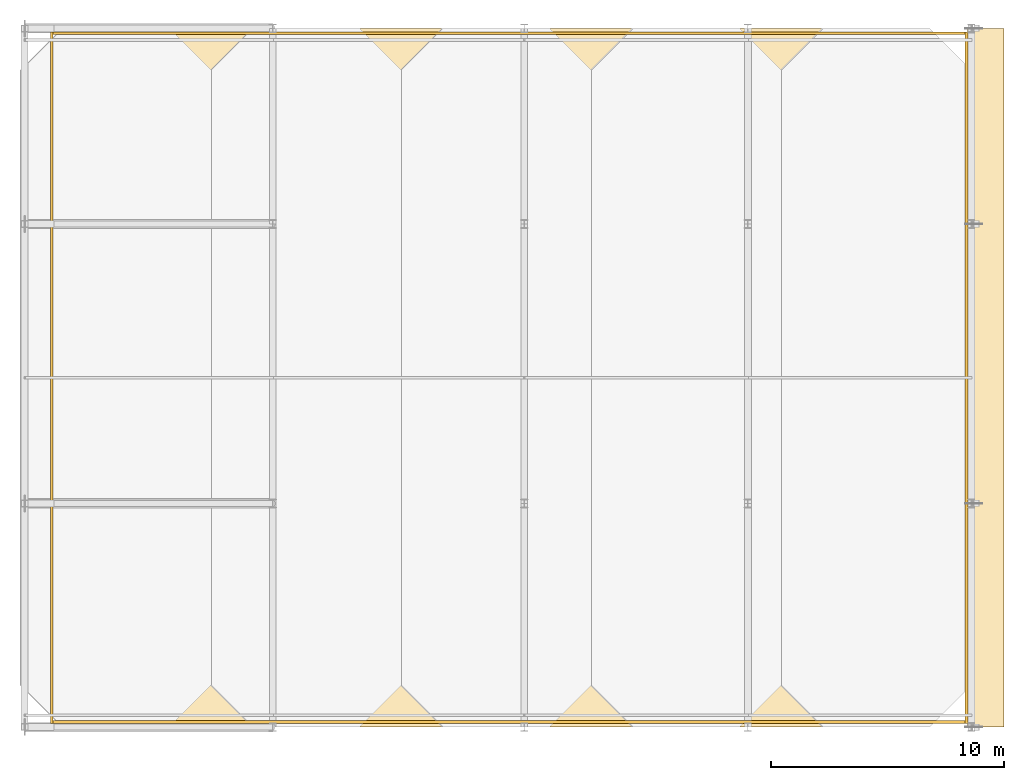
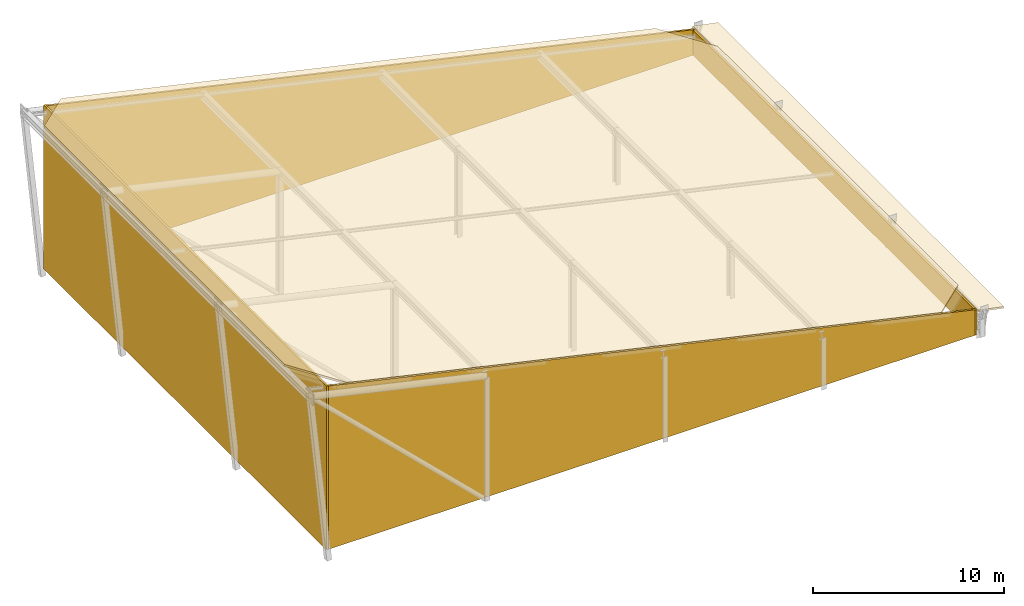
# One storey, part 4 of 4: 6 coverings.
"""IFC4 building model written with IfcOpenShell, lengths in metres."""

from ifc_helpers import new_model, si_unit, direction, frame, origin, place, context, subcontext, project, spatial, polyline, outline, extrude, material, layer, layer_set, type_object, element, save


model = new_model("IFC4")

# Units and contexts
model_context = context("Model", 3, precision=1e-05, world=origin(), true_north=direction((0.0, 1.0)))
body_context = subcontext(model_context, "Body", "Model", "MODEL_VIEW")
ifc_project = project(units=[si_unit("LENGTHUNIT", "METRE"), si_unit("AREAUNIT", "SQUARE_METRE"), si_unit("VOLUMEUNIT", "CUBIC_METRE"), si_unit("PLANEANGLEUNIT", "RADIAN"), si_unit("MASSUNIT", "GRAM", prefix="KILO")], contexts=[model_context])

# Site, building, storey
site_placement = place(None, origin())
site = spatial("IfcSite", under=ifc_project, at=site_placement, CompositionType="ELEMENT")
building_placement = place(site_placement, origin())
building = spatial("IfcBuilding", under=site, at=building_placement, Name="Zereglee Splitstone Museum", CompositionType="ELEMENT")
storey_placement = place(building_placement, frame((0.0, 0.0, 29.699951171875)))
storey = spatial("IfcBuildingStorey", under=building, at=storey_placement, Name="RF", CompositionType="ELEMENT", Elevation=29.699951171875)

# Coverings
ifc_material_1 = material(Name="Honed Khoroo red sandstone ventilated rainscreen", Category="masonry")
ifc_layer_1 = layer(ifc_material_1, 0.080078125)
ifc_layer_set_1 = layer_set([ifc_layer_1], Name="Honed Khoroo red sandstone ventilated rainscreen")
covering_type_1 = type_object("IfcCoveringType", Name="CL-01", PredefinedType="CLADDING", material=ifc_layer_set_1)
covering_1_placement = place(storey_placement, frame((0.050048828125, 0.14990234375, 0.0), z_axis=(0.0, -1.0, 0.0), x_axis=(1.0, 0.0, 0.0)))
element("IfcCovering", 1, at=covering_1_placement, inside=storey, type_object=covering_type_1, Name="Raked Attic Split-Rock Cladding RF-V1 S", PredefinedType="CLADDING", context=body_context, shape_type="SweptSolid", body=[
    extrude(outline(polyline([(0.0, 0.0), (39.39990234375, 0.0), (39.39990234375, 1.60888671875), (0.0, 10.4931640625), (0.0, 0.0)])), origin(), (0.0, 0.0, -1.0), 0.1201171875),
])
covering_2_placement = place(storey_placement, frame((0.050048828125, 29.85009765625, 10.4931640625), z_axis=(0.0, 1.0, 0.0), x_axis=(0.975507317936, 0.0, -0.219966980826)))
element("IfcCovering", 2, at=covering_2_placement, inside=storey, type_object=covering_type_1, Name="Raked Attic Split-Rock Cladding RF-V1 N", PredefinedType="CLADDING", context=body_context, shape_type="SweptSolid", body=[
    extrude(outline(polyline([(0.0, 0.0), (40.38914072640945, 0.0), (40.743042680424146, 1.5694807678702922), (2.308149618141381, 10.236158331269369), (0.0, 0.0)])), origin(), (0.0, 0.0, -1.0), 0.1201171875),
])
covering_3_placement = place(storey_placement, frame((0.050048828125, 0.14990234375, 10.4931640625), z_axis=(-1.0, 0.0, 0.0), x_axis=(0.0, 1.0, 0.0)))
element("IfcCovering", 3, at=covering_3_placement, inside=storey, type_object=covering_type_1, Name="Raked Attic Split-Rock Cladding RF-V1 W", PredefinedType="CLADDING", context=body_context, shape_type="SweptSolid", body=[
    extrude(outline(polyline([(0.0, 0.0), (29.7001953125, 0.0), (29.7001953125, 10.4931640625), (0.0, 10.4931640625), (0.0, 0.0)])), origin(), (0.0, 0.0, -1.0), 0.1201171875),
])
covering_4_placement = place(storey_placement, frame((39.449951171875, 0.14990234375, 0.0), z_axis=(1.0, 0.0, 0.0), x_axis=(0.0, 1.0, 0.0)))
element("IfcCovering", 4, at=covering_4_placement, inside=storey, type_object=covering_type_1, Name="Raked Attic Split-Rock Cladding RF-V1 E", PredefinedType="CLADDING", context=body_context, shape_type="SweptSolid", body=[
    extrude(outline(polyline([(0.0, 0.0), (29.7001953125, 0.0), (29.7001953125, 1.60888671875), (0.0, 1.60888671875), (0.0, 0.0)])), origin(), (0.0, 0.0, -1.0), 0.1201171875),
])
ifc_material_2 = material(Name="Honed Khoroo red sandstone chhajja eave coping", Category="masonry")
ifc_layer_2 = layer(ifc_material_2, 0.110107421875)
ifc_layer_set_2 = layer_set([ifc_layer_2], Name="Honed Khoroo red sandstone chhajja eave coping")
covering_type_2 = type_object("IfcCoveringType", Name="RF-C2", PredefinedType="ROOFING", material=ifc_layer_set_2)
covering_5_placement = place(storey_placement, frame((41.0, 0.0, 1.35009765625), z_axis=(0.202223039102, 0.0, 0.979339492952), x_axis=(0.0, 1.0, 0.0)))
element("IfcCovering", 5, at=covering_5_placement, inside=storey, type_object=covering_type_2, Name="Projecting Mughal Chhajja Stone Eave RF-V1", PredefinedType="ROOFING", context=body_context, shape_type="SweptSolid", body=[
    extrude(outline(polyline([(0.0, 0.0), (30.0, 0.0), (30.0, 1.582749229740672), (0.0, 1.582749229740672), (0.0, 0.0)])), origin(), (0.0, 0.0, -1.0), 0.110107421875),
])
ifc_material_3 = material(Name="Pre-weathered quartz-zinc standing-seam roofing on rigid PIR insulation")
ifc_layer_3 = layer(ifc_material_3, 0.1201171875)
ifc_layer_set_3 = layer_set([ifc_layer_3], Name="Pre-weathered quartz-zinc standing-seam roofing on rigid PIR insulation")
covering_type_3 = type_object("IfcCoveringType", Name="RF-C1", PredefinedType="ROOFING", material=ifc_layer_set_3)
covering_6_placement = place(storey_placement, frame((1.199951171875, 0.0, 10.423828125), z_axis=(0.219966107503, 0.0, 0.975507514861), x_axis=(0.975507514861, 0.0, -0.219966107503)))
element("IfcCovering", 6, at=covering_6_placement, inside=storey, type_object=covering_type_3, Name="Standing-Seam Zinc Roof Covering RF-V1", PredefinedType="ROOFING", context=body_context, shape_type="SweptSolid", body=[
    extrude(outline(polyline([(0.0, 0.0), (36.903884078563294, 0.0), (39.3642501119675, 2.39990234375), (39.3642501119675, 27.60009765625), (36.903884078563294, 30.0), (0.0, 30.0), (-2.4601815750527933, 27.60009765625), (-2.4601815750527933, 2.39990234375), (0.0, 0.0)])), origin(), (0.0, 0.0, -1.0), 0.1201171875),
])

save(model, "model.ifc")
